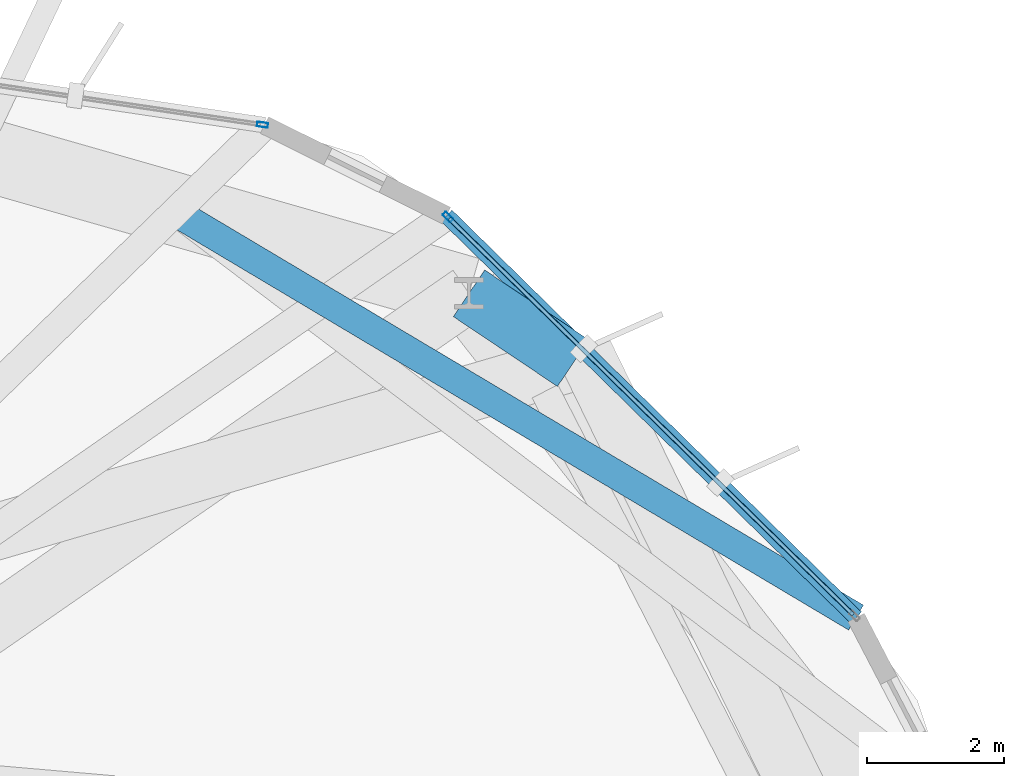
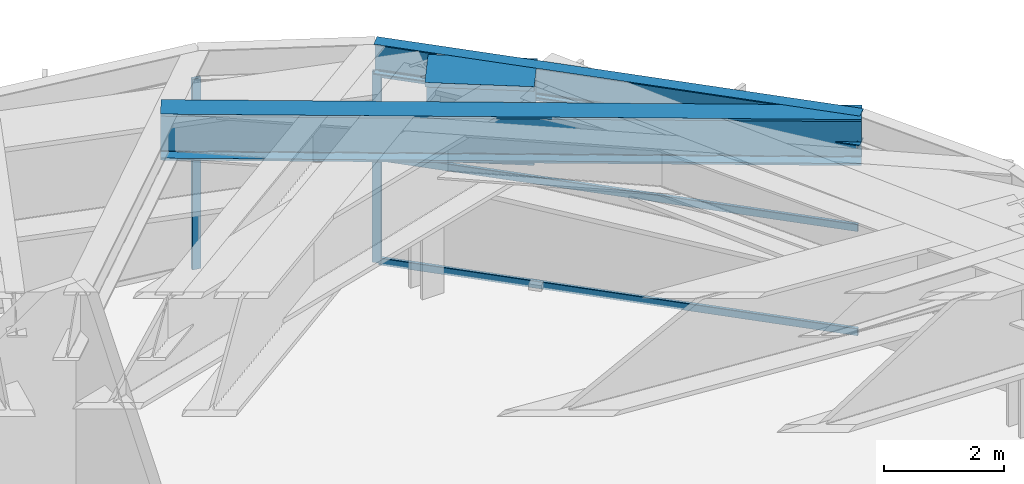
# One storey, part 20 of 27: 5 members, 3 beams, 2 elements without a shape of their own.
"""IFC4 building model written with IfcOpenShell, lengths in metres."""

from ifc_helpers import new_model, si_unit, direction, frame, origin, origin_2d, place, context, subcontext, project, spatial, hollow_rectangle, i_section, extrude, material, layer, layer_set, material_profile, profile_set, type_object, element, aggregate, save


model = new_model("IFC4")

# Units and contexts
model_context = context("Model", 3, precision=1e-05, world=origin(), true_north=direction((0.0, 1.0)))
body_context = subcontext(model_context, "Body", "Model", "MODEL_VIEW")
ifc_project = project(units=[si_unit("LENGTHUNIT", "METRE"), si_unit("AREAUNIT", "SQUARE_METRE"), si_unit("VOLUMEUNIT", "CUBIC_METRE"), si_unit("PLANEANGLEUNIT", "RADIAN"), si_unit("MASSUNIT", "GRAM", prefix="KILO")], contexts=[model_context])

# Site, building, storey
site_placement = place(None, origin())
site = spatial("IfcSite", under=ifc_project, at=site_placement, CompositionType="ELEMENT")
building_placement = place(site_placement, origin())
building = spatial("IfcBuilding", under=site, at=building_placement, Name="Soratama Intermodal Tower", CompositionType="ELEMENT")
storey_placement = place(building_placement, frame((0.0, 0.0, 134.199951171875)))
storey = spatial("IfcBuildingStorey", under=building, at=storey_placement, Name="L32", CompositionType="ELEMENT", Elevation=134.199951171875)

# Beams
ifc_material_1 = material(Name="Structural steel ASTM A992 Grade 50", Category="steel")
ifc_material_profile_1 = material_profile(ifc_material_1, i_section(OverallWidth=0.423095703125, OverallDepth=0.93896484375, WebThickness=0.02392578125, FlangeThickness=0.042724609375, FilletRadius=0.02392578125, at=origin_2d()), Name="W36X302")
ifc_profile_set_1 = profile_set([ifc_material_profile_1], Name="Structural steel ASTM A992 Grade 50")
beam_type_1 = type_object("IfcBeamType", Name="BM-POD-W36X302", PredefinedType="BEAM", material=ifc_profile_set_1)
beam_1_placement = place(storey_placement, frame((50.3359375, 40.675048828125, 4.030517578125), z_axis=(0.859097440981, -0.51181206209, 0.0), x_axis=(0.51181206209, 0.859097440981, 0.0)))
element("IfcBeam", 1, at=beam_1_placement, inside=storey, type_object=beam_type_1, Name="BM-L32-TIE0-01", PredefinedType="BEAM", context=body_context, shape_type="SweptSolid", body=[
    extrude(i_section(OverallWidth=0.423095703125, OverallDepth=0.93896484375, WebThickness=0.02392578125, FlangeThickness=0.042724609375, FilletRadius=0.02392578125, at=origin_2d()), origin(), (0.0, 0.0, 1.0), 11.690185546875),
])
ifc_material_2 = material(Name="Structural steel ASTM A992 Grade 50", Category="steel")
ifc_material_profile_2 = material_profile(ifc_material_2, i_section(OverallWidth=0.22900390625, OverallDepth=0.612060546875, WebThickness=0.011962890625, FlangeThickness=0.01953125, FilletRadius=0.012939453125, at=origin_2d()), Name="W24X84")
ifc_profile_set_2 = profile_set([ifc_material_profile_2], Name="Structural steel ASTM A992 Grade 50")
beam_type_2 = type_object("IfcBeamType", Name="BM-SPN-W24X84", PredefinedType="SPANDREL", material=ifc_profile_set_2)
beam_2_placement = place(storey_placement, frame((60.37890625, 34.69189453125, 4.194091796875), z_axis=(-0.713692183404, 0.70045946874, 0.0), x_axis=(-0.70045946874, -0.713692183404, 0.0)))
element("IfcBeam", 2, at=beam_2_placement, inside=storey, type_object=beam_type_2, Name="BS-L32-F01", PredefinedType="SPANDREL", context=body_context, shape_type="SweptSolid", body=[
    extrude(i_section(OverallWidth=0.22900390625, OverallDepth=0.612060546875, WebThickness=0.011962890625, FlangeThickness=0.01953125, FilletRadius=0.012939453125, at=origin_2d()), origin(), (0.0, 0.0, 1.0), 8.376220703125),
])
ifc_material_3 = material(Name="Structural steel ASTM A992 Grade 50", Category="steel")
ifc_material_profile_3 = material_profile(ifc_material_3, i_section(OverallWidth=0.820068359375, OverallDepth=1.60205078125, WebThickness=0.055908203125, FlangeThickness=0.092041015625, FilletRadius=0.02392578125, at=origin_2d()), Name="PG1600X650")
ifc_profile_set_3 = profile_set([ifc_material_profile_3], Name="Structural steel ASTM A992 Grade 50")
beam_type_3 = type_object("IfcBeamType", Name="BM-ZSTEP-PG1600", PredefinedType="BEAM", material=ifc_profile_set_3)
beam_3_placement = place(storey_placement, frame((54.72998046875, 39.425048828125, 3.698974609375), z_axis=(0.830445195866, -0.557100329082, 0.0), x_axis=(0.557100329082, 0.830445195866, 0.0)))
element("IfcBeam", 3, at=beam_3_placement, inside=storey, type_object=beam_type_3, Name="BM-L32-ZSTEP-A02", PredefinedType="BEAM", context=body_context, shape_type="SweptSolid", body=[
    extrude(i_section(OverallWidth=0.820068359375, OverallDepth=1.60205078125, WebThickness=0.055908203125, FlangeThickness=0.092041015625, FilletRadius=0.02392578125, at=origin_2d()), origin(), (0.0, 0.0, 1.0), 1.8291015625),
])

# Curtain wall, member
ifc_material_4 = material(Name="Double-glazed aluminium curtain wall", Category="aluminium")
ifc_layer = layer(ifc_material_4, 0.159912109375)
ifc_layer_set = layer_set([ifc_layer], Name="Double-glazed aluminium curtain wall")
curtain_wall_type = type_object("IfcCurtainWallType", Name="CW-SYS-3", PredefinedType="NOTDEFINED", material=ifc_layer_set)
curtain_wall_1_placement = place(storey_placement, origin())
curtain_wall_1 = element("IfcCurtainWall", 4, at=curtain_wall_1_placement, inside=storey, type_object=curtain_wall_type, Name="L32 Faceted Curtain Wall F01", PredefinedType="NOTDEFINED")
ifc_material_5 = material(Name="Anodised aluminium AA 6063-T6", Category="aluminium")
ifc_material_profile_4 = material_profile(ifc_material_5, hollow_rectangle(XDim=0.070068359375, YDim=0.159912109375, WallThickness=0.0048828125, InnerFilletRadius=0.0048828125, OuterFilletRadius=0.010009765625, at=origin_2d()), Name="CWM160X70X5")
ifc_profile_set_4 = profile_set([ifc_material_profile_4], Name="Anodised aluminium AA 6063-T6")
member_type_1 = type_object("IfcMemberType", Name="MT-CWM-3", PredefinedType="MULLION", material=ifc_profile_set_4)
member_1_placement = place(storey_placement, frame((54.422119140625, 40.5380859375, 0.0), z_axis=(0.0, 0.0, 1.0), x_axis=(-0.700413662344, -0.713737137609, 0.0)))
member_1 = element("IfcMember", 5, at=member_1_placement, type_object=member_type_1, Name="CW-3 mullion 2", PredefinedType="MULLION", context=body_context, shape_type="SweptSolid", body=[
    extrude(hollow_rectangle(XDim=0.070068359375, YDim=0.159912109375, WallThickness=0.0048828125, InnerFilletRadius=0.0048828125, OuterFilletRadius=0.010009765625, at=origin_2d()), origin(), (0.0, 0.0, 1.0), 3.879150390625),
])

curtain_wall_2_placement = place(storey_placement, origin())
curtain_wall_2 = element("IfcCurtainWall", 6, at=curtain_wall_2_placement, inside=storey, type_object=curtain_wall_type, Name="L32 Faceted Curtain Wall F02", PredefinedType="NOTDEFINED")
member_2_placement = place(storey_placement, frame((51.71533203125, 41.885498046875, 0.0), z_axis=(0.0, 0.0, 1.0), x_axis=(-0.147120202345, -0.989118620825, 0.0)))
member_2 = element("IfcMember", 7, at=member_2_placement, type_object=member_type_1, Name="CW-3 mullion 1", PredefinedType="MULLION", context=body_context, shape_type="SweptSolid", body=[
    extrude(hollow_rectangle(XDim=0.070068359375, YDim=0.159912109375, WallThickness=0.0048828125, InnerFilletRadius=0.0048828125, OuterFilletRadius=0.010009765625, at=origin_2d()), origin(), (0.0, 0.0, 1.0), 3.879150390625),
])
aggregate(curtain_wall_2, [member_2])

# Member
ifc_material_6 = material(Name="Anodised aluminium AA 6063-T6", Category="aluminium")
ifc_material_profile_5 = material_profile(ifc_material_6, hollow_rectangle(XDim=0.06494140625, YDim=0.14990234375, WallThickness=0.0048828125, InnerFilletRadius=0.0048828125, OuterFilletRadius=0.010009765625, at=origin_2d()), Name="CWT150X65X5")
ifc_profile_set_5 = profile_set([ifc_material_profile_5], Name="Anodised aluminium AA 6063-T6")
member_type_2 = type_object("IfcMemberType", Name="TT-CWT-1", PredefinedType="USERDEFINED", material=ifc_profile_set_5)
member_3_placement = place(storey_placement, frame((60.33642578125, 34.734375, 0.030029296875), z_axis=(-0.713743490375, 0.700407188674, 0.0), x_axis=(-0.700407188674, -0.713743490375, 0.0)))
member_3 = element("IfcMember", 8, at=member_3_placement, type_object=member_type_2, Name="CW-3 transom 1.1", ObjectType="TRANSOM", PredefinedType="USERDEFINED", context=body_context, shape_type="SweptSolid", body=[
    extrude(hollow_rectangle(XDim=0.06494140625, YDim=0.14990234375, WallThickness=0.0048828125, InnerFilletRadius=0.0048828125, OuterFilletRadius=0.010009765625, at=origin_2d()), origin(), (0.0, 0.0, 1.0), 8.256103515625),
])

member_4_placement = place(storey_placement, frame((60.33642578125, 34.734375, 2.150146484375), z_axis=(-0.713743490375, 0.700407188674, 0.0), x_axis=(-0.700407188674, -0.713743490375, 0.0)))
member_4 = element("IfcMember", 9, at=member_4_placement, type_object=member_type_2, Name="CW-3 transom 1.2", ObjectType="TRANSOM", PredefinedType="USERDEFINED", context=body_context, shape_type="SweptSolid", body=[
    extrude(hollow_rectangle(XDim=0.06494140625, YDim=0.14990234375, WallThickness=0.0048828125, InnerFilletRadius=0.0048828125, OuterFilletRadius=0.010009765625, at=origin_2d()), origin(), (0.0, 0.0, 1.0), 8.256103515625),
])

member_5_placement = place(storey_placement, frame((60.33642578125, 34.734375, 3.84912109375), z_axis=(-0.713743490375, 0.700407188674, 0.0), x_axis=(-0.700407188674, -0.713743490375, 0.0)))
member_5 = element("IfcMember", 10, at=member_5_placement, type_object=member_type_2, Name="CW-3 transom 1.3", ObjectType="TRANSOM", PredefinedType="USERDEFINED", context=body_context, shape_type="SweptSolid", body=[
    extrude(hollow_rectangle(XDim=0.06494140625, YDim=0.14990234375, WallThickness=0.0048828125, InnerFilletRadius=0.0048828125, OuterFilletRadius=0.010009765625, at=origin_2d()), origin(), (0.0, 0.0, 1.0), 8.256103515625),
])

aggregate(curtain_wall_1, [member_1, member_3, member_4, member_5])

save(model, "model.ifc")
